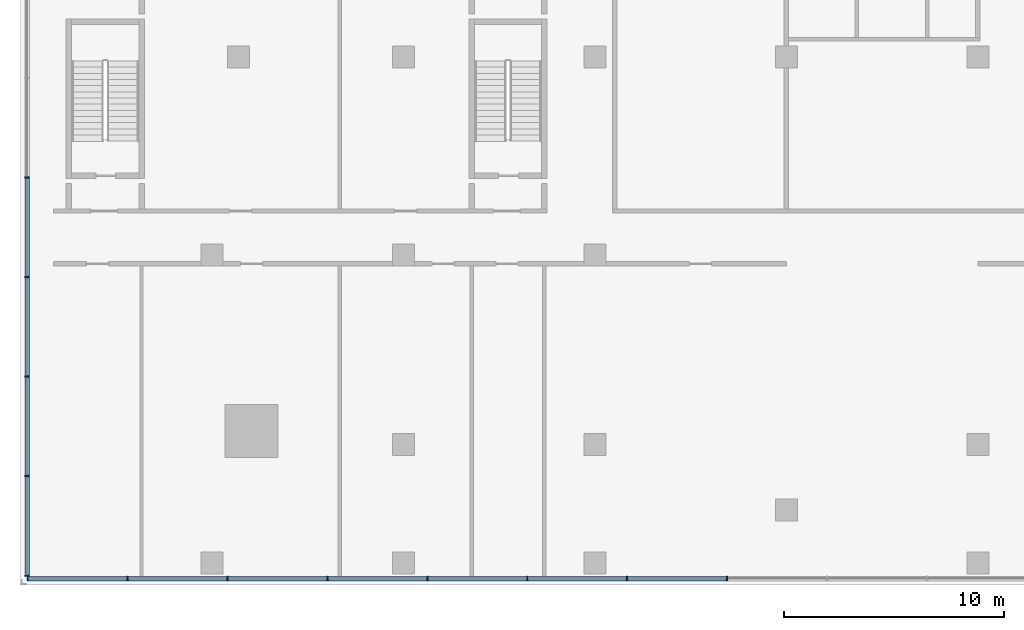
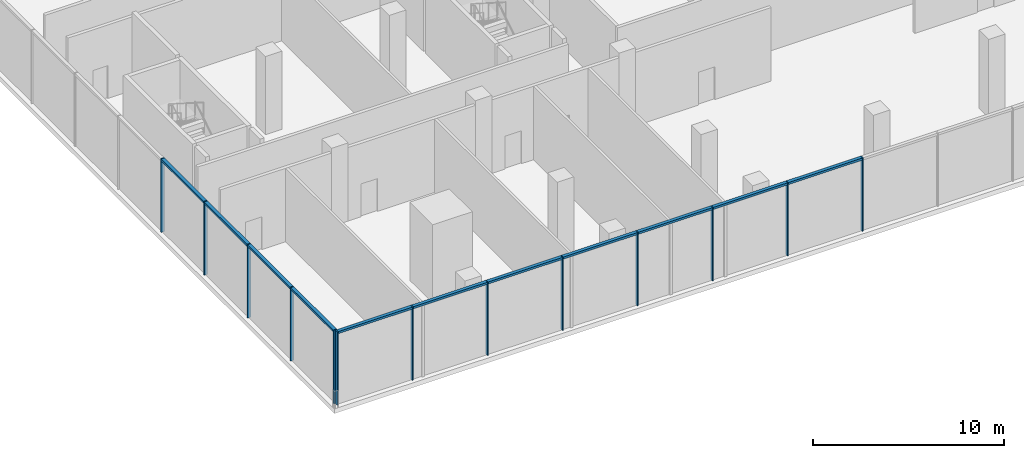
# One storey, part 2 of 20: 24 members, 2 elements without a shape of their own.
"""IFC4 building model written with IfcOpenShell, lengths in metres."""

from ifc_helpers import new_model, si_unit, direction, frame, origin, origin_2d, place, context, subcontext, project, spatial, rectangle, extrude, material, material_profile, profile_set, type_object, element, aggregate, save


model = new_model("IFC4")

# Units and contexts
model_context = context("Model", 3, precision=1e-05, world=origin(), true_north=direction((0.0, 1.0)))
body_context = subcontext(model_context, "Body", "Model", "MODEL_VIEW")
ifc_project = project(units=[si_unit("LENGTHUNIT", "METRE"), si_unit("AREAUNIT", "SQUARE_METRE"), si_unit("VOLUMEUNIT", "CUBIC_METRE"), si_unit("PLANEANGLEUNIT", "RADIAN"), si_unit("MASSUNIT", "GRAM", prefix="KILO")], contexts=[model_context])

# Site, building, storey
site_placement = place(None, origin())
site = spatial("IfcSite", under=ifc_project, at=site_placement, CompositionType="ELEMENT")
building_placement = place(site_placement, origin())
building = spatial("IfcBuilding", under=site, at=building_placement, Name="Bicima Exchange Tower", CompositionType="ELEMENT")
storey_placement = place(building_placement, frame((0.0, 0.0, 25.0)))
storey = spatial("IfcBuildingStorey", under=building, at=storey_placement, Name="L04", CompositionType="ELEMENT", Elevation=25.0)

# Curtain wall, members
ifc_material = material(Name="Anodised bronze aluminium", Category="aluminium")
curtain_wall_type = type_object("IfcCurtainWallType", Name="Lobby glazing", PredefinedType="NOTDEFINED", material=ifc_material)
curtain_wall_1_placement = place(storey_placement, origin())
curtain_wall_1 = element("IfcCurtainWall", 1, at=curtain_wall_1_placement, inside=storey, type_object=curtain_wall_type, Name="Podium glazing L04 south 1", PredefinedType="NOTDEFINED")
ifc_material_profile_1 = material_profile(ifc_material, rectangle(XDim=0.199951171875, YDim=0.06005859375, at=origin_2d()))
ifc_profile_set_1 = profile_set([ifc_material_profile_1], Name="Anodised bronze aluminium")
member_type_1 = type_object("IfcMemberType", Name="Lobby glazing mullion 60 x 200", PredefinedType="MULLION", material=ifc_profile_set_1)
member_1_placement = place(storey_placement, frame((-43.169921875, -45.699951171875, 0.0), z_axis=(0.0, 0.0, 1.0), x_axis=(0.0, 1.0, 0.0)))
member_1 = element("IfcMember", 2, at=member_1_placement, type_object=member_type_1, Name="Lobby glazing mullion 1", PredefinedType="MULLION", context=body_context, shape_type="SweptSolid", body=[
    extrude(rectangle(XDim=0.199951171875, YDim=0.06005859375, at=origin_2d()), origin(), (0.0, 0.0, 1.0), 4.699951171875),
])
member_2_placement = place(storey_placement, frame((-38.631103515625, -45.699951171875, 0.0), z_axis=(0.0, 0.0, 1.0), x_axis=(0.0, 1.0, 0.0)))
member_2 = element("IfcMember", 3, at=member_2_placement, type_object=member_type_1, Name="Lobby glazing mullion 2", PredefinedType="MULLION", context=body_context, shape_type="SweptSolid", body=[
    extrude(rectangle(XDim=0.199951171875, YDim=0.06005859375, at=origin_2d()), origin(), (0.0, 0.0, 1.0), 4.699951171875),
])
member_3_placement = place(storey_placement, frame((-34.092041015625, -45.699951171875, 0.0), z_axis=(0.0, 0.0, 1.0), x_axis=(0.0, 1.0, 0.0)))
member_3 = element("IfcMember", 4, at=member_3_placement, type_object=member_type_1, Name="Lobby glazing mullion 3", PredefinedType="MULLION", context=body_context, shape_type="SweptSolid", body=[
    extrude(rectangle(XDim=0.199951171875, YDim=0.06005859375, at=origin_2d()), origin(), (0.0, 0.0, 1.0), 4.699951171875),
])
member_4_placement = place(storey_placement, frame((-29.55322265625, -45.699951171875, 0.0), z_axis=(0.0, 0.0, 1.0), x_axis=(0.0, 1.0, 0.0)))
member_4 = element("IfcMember", 5, at=member_4_placement, type_object=member_type_1, Name="Lobby glazing mullion 4", PredefinedType="MULLION", context=body_context, shape_type="SweptSolid", body=[
    extrude(rectangle(XDim=0.199951171875, YDim=0.06005859375, at=origin_2d()), origin(), (0.0, 0.0, 1.0), 4.699951171875),
])
member_5_placement = place(storey_placement, frame((-25.01416015625, -45.699951171875, 0.0), z_axis=(0.0, 0.0, 1.0), x_axis=(0.0, 1.0, 0.0)))
member_5 = element("IfcMember", 6, at=member_5_placement, type_object=member_type_1, Name="Lobby glazing mullion 5", PredefinedType="MULLION", context=body_context, shape_type="SweptSolid", body=[
    extrude(rectangle(XDim=0.199951171875, YDim=0.06005859375, at=origin_2d()), origin(), (0.0, 0.0, 1.0), 4.699951171875),
])
member_6_placement = place(storey_placement, frame((-20.475341796875, -45.699951171875, 0.0), z_axis=(0.0, 0.0, 1.0), x_axis=(0.0, 1.0, 0.0)))
member_6 = element("IfcMember", 7, at=member_6_placement, type_object=member_type_1, Name="Lobby glazing mullion 6", PredefinedType="MULLION", context=body_context, shape_type="SweptSolid", body=[
    extrude(rectangle(XDim=0.199951171875, YDim=0.06005859375, at=origin_2d()), origin(), (0.0, 0.0, 1.0), 4.699951171875),
])
member_7_placement = place(storey_placement, frame((-15.936279296875, -45.699951171875, 0.0), z_axis=(0.0, 0.0, 1.0), x_axis=(0.0, 1.0, 0.0)))
member_7 = element("IfcMember", 8, at=member_7_placement, type_object=member_type_1, Name="Lobby glazing mullion 7", PredefinedType="MULLION", context=body_context, shape_type="SweptSolid", body=[
    extrude(rectangle(XDim=0.199951171875, YDim=0.06005859375, at=origin_2d()), origin(), (0.0, 0.0, 1.0), 4.699951171875),
])
member_8_placement = place(storey_placement, frame((-11.3974609375, -45.699951171875, 0.0), z_axis=(0.0, 0.0, 1.0), x_axis=(0.0, 1.0, 0.0)))
member_8 = element("IfcMember", 9, at=member_8_placement, type_object=member_type_1, Name="Lobby glazing mullion 8", PredefinedType="MULLION", context=body_context, shape_type="SweptSolid", body=[
    extrude(rectangle(XDim=0.199951171875, YDim=0.06005859375, at=origin_2d()), origin(), (0.0, 0.0, 1.0), 4.699951171875),
])

curtain_wall_2_placement = place(storey_placement, origin())
curtain_wall_2 = element("IfcCurtainWall", 10, at=curtain_wall_2_placement, inside=storey, type_object=curtain_wall_type, Name="Podium glazing L04 west 1", PredefinedType="NOTDEFINED")
member_9_placement = place(storey_placement, frame((-43.199951171875, -27.47412109375, 0.0), z_axis=(0.0, 0.0, 1.0), x_axis=(1.0, 0.0, 0.0)))
member_9 = element("IfcMember", 11, at=member_9_placement, type_object=member_type_1, Name="Lobby glazing mullion 7", PredefinedType="MULLION", context=body_context, shape_type="SweptSolid", body=[
    extrude(rectangle(XDim=0.199951171875, YDim=0.06005859375, at=origin_2d()), origin(), (0.0, 0.0, 1.0), 4.699951171875),
])
member_10_placement = place(storey_placement, frame((-43.199951171875, -31.998046875, 0.0), z_axis=(0.0, 0.0, 1.0), x_axis=(1.0, 0.0, 0.0)))
member_10 = element("IfcMember", 12, at=member_10_placement, type_object=member_type_1, Name="Lobby glazing mullion 8", PredefinedType="MULLION", context=body_context, shape_type="SweptSolid", body=[
    extrude(rectangle(XDim=0.199951171875, YDim=0.06005859375, at=origin_2d()), origin(), (0.0, 0.0, 1.0), 4.699951171875),
])
member_11_placement = place(storey_placement, frame((-43.199951171875, -36.52197265625, 0.0), z_axis=(0.0, 0.0, 1.0), x_axis=(1.0, 0.0, 0.0)))
member_11 = element("IfcMember", 13, at=member_11_placement, type_object=member_type_1, Name="Lobby glazing mullion 9", PredefinedType="MULLION", context=body_context, shape_type="SweptSolid", body=[
    extrude(rectangle(XDim=0.199951171875, YDim=0.06005859375, at=origin_2d()), origin(), (0.0, 0.0, 1.0), 4.699951171875),
])
member_12_placement = place(storey_placement, frame((-43.199951171875, -41.0458984375, 0.0), z_axis=(0.0, 0.0, 1.0), x_axis=(1.0, 0.0, 0.0)))
member_12 = element("IfcMember", 14, at=member_12_placement, type_object=member_type_1, Name="Lobby glazing mullion 10", PredefinedType="MULLION", context=body_context, shape_type="SweptSolid", body=[
    extrude(rectangle(XDim=0.199951171875, YDim=0.06005859375, at=origin_2d()), origin(), (0.0, 0.0, 1.0), 4.699951171875),
])
member_13_placement = place(storey_placement, frame((-43.199951171875, -45.570068359375, 0.0), z_axis=(0.0, 0.0, 1.0), x_axis=(1.0, 0.0, 0.0)))
member_13 = element("IfcMember", 15, at=member_13_placement, type_object=member_type_1, Name="Lobby glazing mullion 11", PredefinedType="MULLION", context=body_context, shape_type="SweptSolid", body=[
    extrude(rectangle(XDim=0.199951171875, YDim=0.06005859375, at=origin_2d()), origin(), (0.0, 0.0, 1.0), 4.699951171875),
])

# Member
ifc_material_profile_2 = material_profile(ifc_material, rectangle(XDim=0.199951171875, YDim=0.139892578125, at=origin_2d()))
ifc_profile_set_2 = profile_set([ifc_material_profile_2], Name="Anodised bronze aluminium")
member_type_2 = type_object("IfcMemberType", Name="Lobby glazing transom 140 x 200", PredefinedType="USERDEFINED", material=ifc_profile_set_2)
member_14_placement = place(storey_placement, frame((-43.139892578125, -45.699951171875, 4.6298828125), z_axis=(1.0, 0.0, 0.0), x_axis=(0.0, 1.0, 0.0)))
member_14 = element("IfcMember", 16, at=member_14_placement, type_object=member_type_2, Name="Lobby glazing transom 1.1", ObjectType="TRANSOM", PredefinedType="USERDEFINED", context=body_context, shape_type="SweptSolid", body=[
    extrude(rectangle(XDim=0.199951171875, YDim=0.139892578125, at=origin_2d()), origin(), (0.0, 0.0, 1.0), 4.478759765625),
])

member_15_placement = place(storey_placement, frame((-38.60107421875, -45.699951171875, 4.6298828125), z_axis=(1.0, 0.0, 0.0), x_axis=(0.0, 1.0, 0.0)))
member_15 = element("IfcMember", 17, at=member_15_placement, type_object=member_type_2, Name="Lobby glazing transom 2.1", ObjectType="TRANSOM", PredefinedType="USERDEFINED", context=body_context, shape_type="SweptSolid", body=[
    extrude(rectangle(XDim=0.199951171875, YDim=0.139892578125, at=origin_2d()), origin(), (0.0, 0.0, 1.0), 4.47900390625),
])

member_16_placement = place(storey_placement, frame((-34.06201171875, -45.699951171875, 4.6298828125), z_axis=(1.0, 0.0, 0.0), x_axis=(0.0, 1.0, 0.0)))
member_16 = element("IfcMember", 18, at=member_16_placement, type_object=member_type_2, Name="Lobby glazing transom 3.1", ObjectType="TRANSOM", PredefinedType="USERDEFINED", context=body_context, shape_type="SweptSolid", body=[
    extrude(rectangle(XDim=0.199951171875, YDim=0.139892578125, at=origin_2d()), origin(), (0.0, 0.0, 1.0), 4.478759765625),
])

member_17_placement = place(storey_placement, frame((-29.523193359375, -45.699951171875, 4.6298828125), z_axis=(1.0, 0.0, 0.0), x_axis=(0.0, 1.0, 0.0)))
member_17 = element("IfcMember", 19, at=member_17_placement, type_object=member_type_2, Name="Lobby glazing transom 4.1", ObjectType="TRANSOM", PredefinedType="USERDEFINED", context=body_context, shape_type="SweptSolid", body=[
    extrude(rectangle(XDim=0.199951171875, YDim=0.139892578125, at=origin_2d()), origin(), (0.0, 0.0, 1.0), 4.47900390625),
])

member_18_placement = place(storey_placement, frame((-24.984130859375, -45.699951171875, 4.6298828125), z_axis=(1.0, 0.0, 0.0), x_axis=(0.0, 1.0, 0.0)))
member_18 = element("IfcMember", 20, at=member_18_placement, type_object=member_type_2, Name="Lobby glazing transom 5.1", ObjectType="TRANSOM", PredefinedType="USERDEFINED", context=body_context, shape_type="SweptSolid", body=[
    extrude(rectangle(XDim=0.199951171875, YDim=0.139892578125, at=origin_2d()), origin(), (0.0, 0.0, 1.0), 4.478759765625),
])

member_19_placement = place(storey_placement, frame((-20.4453125, -45.699951171875, 4.6298828125), z_axis=(1.0, 0.0, 0.0), x_axis=(0.0, 1.0, 0.0)))
member_19 = element("IfcMember", 21, at=member_19_placement, type_object=member_type_2, Name="Lobby glazing transom 6.1", ObjectType="TRANSOM", PredefinedType="USERDEFINED", context=body_context, shape_type="SweptSolid", body=[
    extrude(rectangle(XDim=0.199951171875, YDim=0.139892578125, at=origin_2d()), origin(), (0.0, 0.0, 1.0), 4.47900390625),
])

member_20_placement = place(storey_placement, frame((-15.90625, -45.699951171875, 4.6298828125), z_axis=(1.0, 0.0, 0.0), x_axis=(0.0, 1.0, 0.0)))
member_20 = element("IfcMember", 22, at=member_20_placement, type_object=member_type_2, Name="Lobby glazing transom 7.1", ObjectType="TRANSOM", PredefinedType="USERDEFINED", context=body_context, shape_type="SweptSolid", body=[
    extrude(rectangle(XDim=0.199951171875, YDim=0.139892578125, at=origin_2d()), origin(), (0.0, 0.0, 1.0), 4.478759765625),
])

aggregate(curtain_wall_1, [member_1, member_2, member_3, member_4, member_5, member_6, member_7, member_8, member_14, member_15, member_16, member_17, member_18, member_19, member_20])

member_21_placement = place(storey_placement, frame((-43.199951171875, -27.50390625, 4.6298828125), z_axis=(0.0, -1.0, 0.0), x_axis=(1.0, 0.0, 0.0)))
member_21 = element("IfcMember", 23, at=member_21_placement, type_object=member_type_2, Name="Lobby glazing transom 7.1", ObjectType="TRANSOM", PredefinedType="USERDEFINED", context=body_context, shape_type="SweptSolid", body=[
    extrude(rectangle(XDim=0.199951171875, YDim=0.139892578125, at=origin_2d()), origin(), (0.0, 0.0, 1.0), 4.464111328125),
])

member_22_placement = place(storey_placement, frame((-43.199951171875, -32.028076171875, 4.6298828125), z_axis=(0.0, -1.0, 0.0), x_axis=(1.0, 0.0, 0.0)))
member_22 = element("IfcMember", 24, at=member_22_placement, type_object=member_type_2, Name="Lobby glazing transom 8.1", ObjectType="TRANSOM", PredefinedType="USERDEFINED", context=body_context, shape_type="SweptSolid", body=[
    extrude(rectangle(XDim=0.199951171875, YDim=0.139892578125, at=origin_2d()), origin(), (0.0, 0.0, 1.0), 4.4638671875),
])

member_23_placement = place(storey_placement, frame((-43.199951171875, -36.552001953125, 4.6298828125), z_axis=(0.0, -1.0, 0.0), x_axis=(1.0, 0.0, 0.0)))
member_23 = element("IfcMember", 25, at=member_23_placement, type_object=member_type_2, Name="Lobby glazing transom 9.1", ObjectType="TRANSOM", PredefinedType="USERDEFINED", context=body_context, shape_type="SweptSolid", body=[
    extrude(rectangle(XDim=0.199951171875, YDim=0.139892578125, at=origin_2d()), origin(), (0.0, 0.0, 1.0), 4.464111328125),
])

member_24_placement = place(storey_placement, frame((-43.199951171875, -41.075927734375, 4.6298828125), z_axis=(0.0, -1.0, 0.0), x_axis=(1.0, 0.0, 0.0)))
member_24 = element("IfcMember", 26, at=member_24_placement, type_object=member_type_2, Name="Lobby glazing transom 10.1", ObjectType="TRANSOM", PredefinedType="USERDEFINED", context=body_context, shape_type="SweptSolid", body=[
    extrude(rectangle(XDim=0.199951171875, YDim=0.139892578125, at=origin_2d()), origin(), (0.0, 0.0, 1.0), 4.464111328125),
])

aggregate(curtain_wall_2, [member_9, member_10, member_11, member_12, member_13, member_21, member_22, member_23, member_24])

save(model, "model.ifc")
